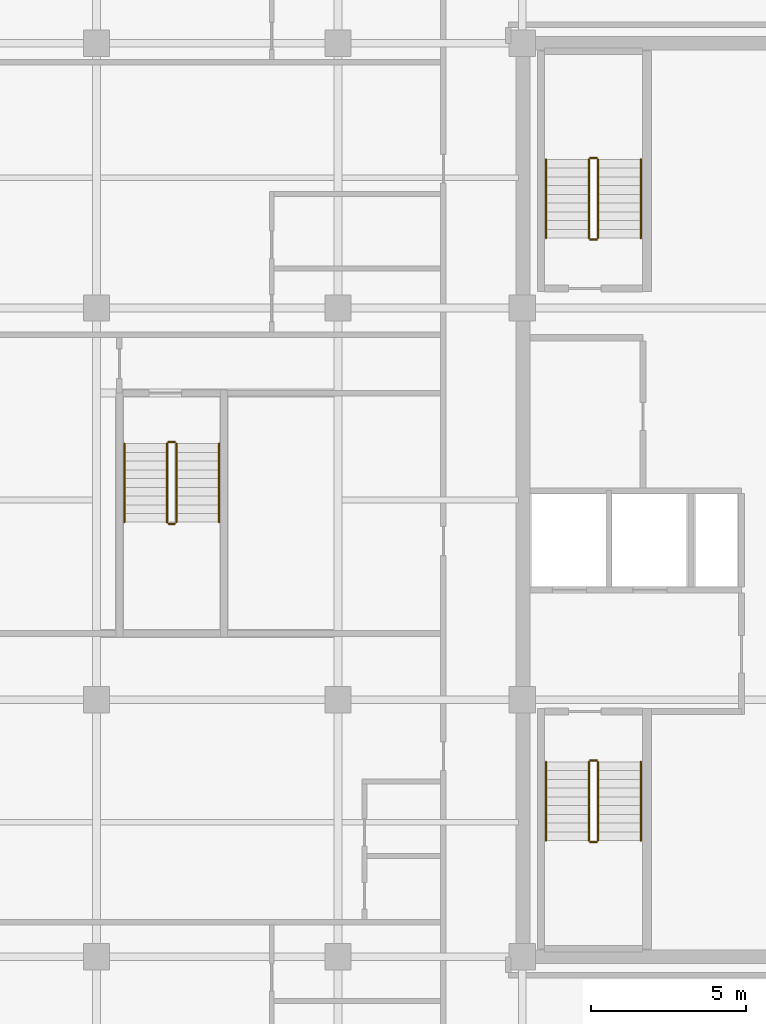
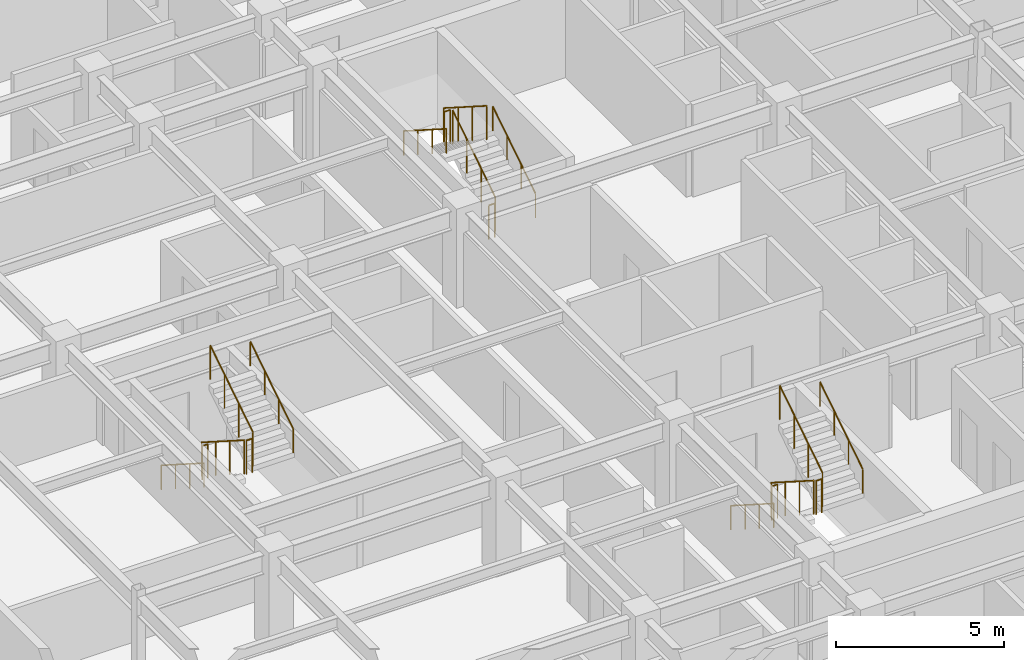
# One storey, part 13 of 13: 18 railings.
"""IFC4 building model written with IfcOpenShell, lengths in metres."""

import ifcopenshell
import ifcopenshell.guid

model = None  # the IFC model being written
_history = None  # IfcOwnerHistory: only IFC2X3 demands one
_inside = {}  # id of a spatial element -> (the spatial element, [elements in it])
_under = {}  # id of a project, library or spatial element -> (it, [spatial elements below it])
_declared = {}  # id of a project -> (the project, [libraries it declares])
_typed = {}  # id of a type object -> (the type object, [elements of that type])
_made_of = {}  # id of a material, layer set ... -> (it, [elements and type objects made of it])


def new_model(schema):
    """Start an empty IFC model of exactly this schema.

    Asked for "IFC4X3", IfcOpenShell would pick the latest addendum, in which some entities
    have other attributes; the version numbers below select the first issue.
    IFC2X3 requires an IfcOwnerHistory on every rooted entity: one is made here for all.
    """
    global model, _history
    if schema == "IFC4X3":
        model = ifcopenshell.file(schema_version=(4, 3, 0, 0))
    else:
        model = ifcopenshell.file(schema=schema)
    _inside.clear()
    _under.clear()
    _declared.clear()
    _typed.clear()
    _made_of.clear()
    _history = None
    if model.schema == "IFC2X3":
        org = make("IfcOrganization", Name="unknown")
        user = make(
            "IfcPersonAndOrganization",
            ThePerson=make("IfcPerson", FamilyName="unknown"),
            TheOrganization=org,
        )
        app = make(
            "IfcApplication",
            ApplicationDeveloper=org,
            Version="unknown",
            ApplicationFullName="unknown",
            ApplicationIdentifier="unknown",
        )
        _history = make(
            "IfcOwnerHistory",
            OwningUser=user,
            OwningApplication=app,
            ChangeAction="ADDED",
            CreationDate=0,
        )
    return model


def make(cls, **values):
    """One entity of the class cls with the attributes given. An attribute that is None is left unset."""
    return model.create_entity(
        cls, **{name: value for name, value in values.items() if value is not None}
    )


def rooted(cls, **values):
    """An entity with a GlobalId (a new one), such as an element, a storey or a relation."""
    return make(cls, GlobalId=ifcopenshell.guid.new(), OwnerHistory=_history, **values)


def si_unit(unit_type, name, prefix=None):
    """IfcSIUnit, for example si_unit("LENGTHUNIT", "METRE", prefix="MILLI")."""
    return make("IfcSIUnit", UnitType=unit_type, Prefix=prefix, Name=name)


def assignment(units):
    """IfcUnitAssignment: the units of a project."""
    return None if units is None else make("IfcUnitAssignment", Units=units)


def point(xyz):
    """IfcCartesianPoint."""
    return None if xyz is None else make("IfcCartesianPoint", Coordinates=xyz)


def direction(xyz):
    """IfcDirection."""
    return None if xyz is None else make("IfcDirection", DirectionRatios=xyz)


def frame(location, z_axis=None, x_axis=None):
    """IfcAxis2Placement3D, a coordinate frame: its origin and axes. An axis left out is left unset."""
    return make(
        "IfcAxis2Placement3D",
        Location=point(location),
        Axis=direction(z_axis),
        RefDirection=direction(x_axis),
    )


def frame_2d(location, x_axis=None):
    """IfcAxis2Placement2D, a coordinate frame in the plane: its origin and x axis."""
    return make(
        "IfcAxis2Placement2D", Location=point(location), RefDirection=direction(x_axis)
    )


def origin():
    """The frame at (0, 0, 0) with its axes left unset."""
    return frame((0.0, 0.0, 0.0))


def origin_2d():
    """The frame at (0, 0) in the plane with its x axis left unset."""
    return frame_2d((0.0, 0.0))


def place(relative_to, where):
    """IfcLocalPlacement: puts the frame where relative to a parent placement (None: the world)."""
    return make(
        "IfcLocalPlacement", PlacementRelTo=relative_to, RelativePlacement=where
    )


def context(
    kind, dimensions, precision=None, world=None, true_north=None, identifier=None
):
    """IfcGeometricRepresentationContext, for example the 3D "Model" context."""
    return make(
        "IfcGeometricRepresentationContext",
        ContextIdentifier=identifier,
        ContextType=kind,
        CoordinateSpaceDimension=dimensions,
        Precision=precision,
        WorldCoordinateSystem=world,
        TrueNorth=true_north,
    )


def subcontext(parent, identifier, kind, view, scale=None):
    """IfcGeometricRepresentationSubContext, for example "Body" below "Model"."""
    return make(
        "IfcGeometricRepresentationSubContext",
        ContextIdentifier=identifier,
        ContextType=kind,
        ParentContext=parent,
        TargetScale=scale,
        TargetView=view,
    )


def project(units=None, contexts=None):
    """IfcProject with its units and contexts."""
    return rooted(
        "IfcProject",
        Name="project",
        RepresentationContexts=contexts,
        UnitsInContext=assignment(units),
    )


def spatial(cls, under=None, at=None, **own):
    """A site, building, storey or space (cls), placed at a placement, below another one or the project."""
    s = rooted(cls, ObjectPlacement=at, **own)
    if under is not None:
        _under.setdefault(under.id(), (under, []))[1].append(s)
    return s


def profile(cls, at=None, kind="AREA", **sizes):
    """A parametric profile (cls). Its sizes go by their IFC names, for example OverallWidth=200.0."""
    return make(cls, ProfileType=kind, Position=at, **sizes)


def circle(**sizes):
    """IfcCircleProfileDef."""
    return profile("IfcCircleProfileDef", **sizes)


def extrude(swept, where, along, depth):
    """IfcExtrudedAreaSolid: the profile swept, set in the frame where, extruded along a direction by depth."""
    return make(
        "IfcExtrudedAreaSolid",
        SweptArea=swept,
        Position=where,
        ExtrudedDirection=direction(along),
        Depth=depth,
    )


def shape(context_of_items, identifier, shape_type, items):
    """IfcShapeRepresentation: the items that make up one representation, for example the "Body"."""
    return make(
        "IfcShapeRepresentation",
        ContextOfItems=context_of_items,
        RepresentationIdentifier=identifier,
        RepresentationType=shape_type,
        Items=items,
    )


def material(Name=None, Category=None):
    """IfcMaterial."""
    return make("IfcMaterial", Name=Name, Category=Category)


def made_of(thing, what):
    """Note that an element or type object is made of a material, layer set ...; save() writes the relation."""
    if what is not None:
        _made_of.setdefault(what.id(), (what, []))[1].append(thing)
    return thing


def type_object(cls, material=None, **own):
    """A type object (cls), such as IfcWallType, which elements share."""
    return made_of(rooted(cls, **own), material)


def element(
    cls,
    number,
    at=None,
    inside=None,
    cuts=None,
    type_object=None,
    material=None,
    context=None,
    identifier="Body",
    shape_type=None,
    held_by="IfcProductDefinitionShape",
    body=None,
    shapes=None,
    **own,
):
    """One element of the class cls, such as IfcWall. Its Tag is "e" and its number.

    at: its placement. inside: the storey or other place that contains it. cuts: it is an
    opening in that element (IfcRelVoidsElement). A single representation is given by context,
    identifier, shape_type and body (its items); several are given by shapes. held_by: the class
    of the entity that holds the representations. save() writes the other relations.
    """
    e = rooted(cls, Tag="e%d" % number, ObjectPlacement=at, **own)
    if body is not None:
        shapes = [shape(context, identifier, shape_type, body)]
    if shapes is not None:
        e.Representation = make(held_by, Representations=shapes)
    if inside is not None:
        _inside.setdefault(inside.id(), (inside, []))[1].append(e)
    if cuts is not None:
        rooted(
            "IfcRelVoidsElement", RelatingBuildingElement=cuts, RelatedOpeningElement=e
        )
    if type_object is not None:
        _typed.setdefault(type_object.id(), (type_object, []))[1].append(e)
    return made_of(e, material)


def aggregate(whole, parts):
    """IfcRelAggregates: a whole, such as a stair, and the parts it consists of."""
    return rooted("IfcRelAggregates", RelatingObject=whole, RelatedObjects=parts)


def save(model, path):
    """Write the relations noted so far, then the file.

    IfcRelAggregates (storeys below a building ...), IfcRelContainedInSpatialStructure (elements
    in a storey), IfcRelDefinesByType, IfcRelAssociatesMaterial and IfcRelDeclares: one each for
    every whole, place, type object, material and project.
    """
    for whole, parts in _under.values():
        aggregate(whole, parts)
    for where, things in _inside.values():
        rooted(
            "IfcRelContainedInSpatialStructure",
            RelatedElements=things,
            RelatingStructure=where,
        )
    for kind, things in _typed.values():
        rooted("IfcRelDefinesByType", RelatedObjects=things, RelatingType=kind)
    for what, things in _made_of.values():
        rooted("IfcRelAssociatesMaterial", RelatedObjects=things, RelatingMaterial=what)
    for by, libraries in _declared.values():
        rooted("IfcRelDeclares", RelatingContext=by, RelatedDefinitions=libraries)
    model.write(path)


model = new_model("IFC4")

# Units and contexts
model_context = context("Model", 3, precision=1e-05, world=origin(), true_north=direction((0.0, 1.0)))
body_context = subcontext(model_context, "Body", "Model", "MODEL_VIEW")
ifc_project = project(units=[si_unit("LENGTHUNIT", "METRE"), si_unit("AREAUNIT", "SQUARE_METRE"), si_unit("VOLUMEUNIT", "CUBIC_METRE"), si_unit("PLANEANGLEUNIT", "RADIAN"), si_unit("MASSUNIT", "GRAM", prefix="KILO")], contexts=[model_context])

# Site, building, storey
site_placement = place(None, origin())
site = spatial("IfcSite", under=ifc_project, at=site_placement, CompositionType="ELEMENT")
building_placement = place(site_placement, origin())
building = spatial("IfcBuilding", under=site, at=building_placement, Name="Ochreholt Gables", CompositionType="ELEMENT")
storey_placement = place(building_placement, frame((0.0, 0.0, 56.39990234375)))
storey = spatial("IfcBuildingStorey", under=building, at=storey_placement, Name="L14", CompositionType="ELEMENT", Elevation=56.39990234375)

# Railings
ifc_material_1 = material(Name="Painted Steel Stair Guardrail", Category="steel")
railing_type_1 = type_object("IfcRailingType", Name="RL-ST-GUARD", PredefinedType="GUARDRAIL", material=ifc_material_1)
railing_1_placement = place(storey_placement, frame((26.35009765625, 15.5400390625, 0.18017578125)))
element("IfcRailing", 1, at=railing_1_placement, inside=storey, type_object=railing_type_1, Name="L14 ST-1 stair guard 1", PredefinedType="GUARDRAIL", context=body_context, shape_type="SweptSolid", body=[
    extrude(circle(Radius=0.02392578125, at=origin_2d()), frame((0.0, 0.0, 1.22607421875), z_axis=(0.0, -0.842949592929, 0.537992549931), x_axis=(1.0, 0.0, 0.0)), (0.0, 0.0, 1.0), 3.010986328125),
    extrude(circle(Radius=0.02099609375, at=origin_2d()), origin(), (0.0, 0.0, 1.0), 1.201904296875),
    extrude(circle(Radius=0.02099609375, at=origin_2d()), frame((0.0, -0.845947265625, 0.5400390625)), (0.0, 0.0, 1.0), 1.201904296875),
    extrude(circle(Radius=0.02099609375, at=origin_2d()), frame((0.0, -1.692138671875, 1.079833984375)), (0.0, 0.0, 1.0), 1.201904296875),
    extrude(circle(Radius=0.02099609375, at=origin_2d()), frame((0.0, -2.5380859375, 1.619873046875)), (0.0, 0.0, 1.0), 1.201904296875),
])
railing_2_placement = place(storey_placement, frame((26.39990234375, 12.951904296875, 1.800048828125)))
element("IfcRailing", 2, at=railing_2_placement, inside=storey, type_object=railing_type_1, Name="L14 ST-1 stair guard 2", PredefinedType="GUARDRAIL", context=body_context, shape_type="SweptSolid", body=[
    extrude(circle(Radius=0.02392578125, at=origin_2d()), frame((0.0, 0.0, 1.22607421875), z_axis=(1.0, 0.0, 0.0), x_axis=(0.0, 1.0, 0.0)), (0.0, 0.0, 1.0), 0.2001953125),
    extrude(circle(Radius=0.02099609375, at=origin_2d()), origin(), (0.0, 0.0, 1.0), 1.201904296875),
    extrude(circle(Radius=0.02099609375, at=origin_2d()), frame((0.2001953125, 0.0, 0.0)), (0.0, 0.0, 1.0), 1.201904296875),
])
railing_3_placement = place(storey_placement, frame((26.64990234375, 13.001953125, 1.97998046875)))
element("IfcRailing", 3, at=railing_3_placement, inside=storey, type_object=railing_type_1, Name="L14 ST-1 stair guard 3", PredefinedType="GUARDRAIL", context=body_context, shape_type="SweptSolid", body=[
    extrude(circle(Radius=0.02392578125, at=origin_2d()), frame((0.0, 0.0, 1.22607421875), z_axis=(0.0, 0.842912820907, 0.538050161556), x_axis=(-1.0, 0.0, 0.0)), (0.0, 0.0, 1.0), 3.010986328125),
    extrude(circle(Radius=0.02099609375, at=origin_2d()), origin(), (0.0, 0.0, 1.0), 1.201904296875),
    extrude(circle(Radius=0.02099609375, at=origin_2d()), frame((0.0, 0.845947265625, 0.5400390625)), (0.0, 0.0, 1.0), 1.201904296875),
    extrude(circle(Radius=0.02099609375, at=origin_2d()), frame((0.0, 1.692138671875, 1.080078125)), (0.0, 0.0, 1.0), 1.201904296875),
    extrude(circle(Radius=0.02099609375, at=origin_2d()), frame((0.0, 2.5380859375, 1.6201171875)), (0.0, 0.0, 1.0), 1.201904296875),
])
railing_4_placement = place(storey_placement, frame((26.39990234375, 15.590087890625, 0.0)))
element("IfcRailing", 4, at=railing_4_placement, inside=storey, type_object=railing_type_1, Name="L14 ST-1 stair guard 4", PredefinedType="GUARDRAIL", context=body_context, shape_type="SweptSolid", body=[
    extrude(circle(Radius=0.02392578125, at=origin_2d()), frame((0.0, 0.0, 1.22607421875), z_axis=(1.0, 0.0, 0.0), x_axis=(0.0, 1.0, 0.0)), (0.0, 0.0, 1.0), 0.2001953125),
    extrude(circle(Radius=0.02099609375, at=origin_2d()), origin(), (0.0, 0.0, 1.0), 1.201904296875),
    extrude(circle(Radius=0.02099609375, at=origin_2d()), frame((0.2001953125, 0.0, 0.0)), (0.0, 0.0, 1.0), 1.201904296875),
])
railing_5_placement = place(storey_placement, frame((26.64990234375, 32.4599609375, 0.18017578125)))
element("IfcRailing", 5, at=railing_5_placement, inside=storey, type_object=railing_type_1, Name="L14 ST-2 stair guard 1", PredefinedType="GUARDRAIL", context=body_context, shape_type="SweptSolid", body=[
    extrude(circle(Radius=0.02392578125, at=origin_2d()), frame((0.0, 0.0, 1.22607421875), z_axis=(0.0, 0.842949592929, 0.537992549931), x_axis=(-1.0, 0.0, 0.0)), (0.0, 0.0, 1.0), 3.010986328125),
    extrude(circle(Radius=0.02099609375, at=origin_2d()), origin(), (0.0, 0.0, 1.0), 1.201904296875),
    extrude(circle(Radius=0.02099609375, at=origin_2d()), frame((0.0, 0.845947265625, 0.5400390625)), (0.0, 0.0, 1.0), 1.201904296875),
    extrude(circle(Radius=0.02099609375, at=origin_2d()), frame((0.0, 1.692138671875, 1.079833984375)), (0.0, 0.0, 1.0), 1.201904296875),
    extrude(circle(Radius=0.02099609375, at=origin_2d()), frame((0.0, 2.5380859375, 1.619873046875)), (0.0, 0.0, 1.0), 1.201904296875),
])
railing_6_placement = place(storey_placement, frame((26.60009765625, 35.048095703125, 1.800048828125)))
element("IfcRailing", 6, at=railing_6_placement, inside=storey, type_object=railing_type_1, Name="L14 ST-2 stair guard 2", PredefinedType="GUARDRAIL", context=body_context, shape_type="SweptSolid", body=[
    extrude(circle(Radius=0.02392578125, at=origin_2d()), frame((0.0, 0.0, 1.22607421875), z_axis=(-1.0, 0.0, 0.0), x_axis=(0.0, -1.0, 0.0)), (0.0, 0.0, 1.0), 0.2001953125),
    extrude(circle(Radius=0.02099609375, at=origin_2d()), origin(), (0.0, 0.0, 1.0), 1.201904296875),
    extrude(circle(Radius=0.02099609375, at=origin_2d()), frame((-0.2001953125, 0.0, 0.0)), (0.0, 0.0, 1.0), 1.201904296875),
])
railing_7_placement = place(storey_placement, frame((26.35009765625, 34.998046875, 1.97998046875)))
element("IfcRailing", 7, at=railing_7_placement, inside=storey, type_object=railing_type_1, Name="L14 ST-2 stair guard 3", PredefinedType="GUARDRAIL", context=body_context, shape_type="SweptSolid", body=[
    extrude(circle(Radius=0.02392578125, at=origin_2d()), frame((0.0, 0.0, 1.22607421875), z_axis=(0.0, -0.842912820907, 0.538050161556), x_axis=(1.0, 0.0, 0.0)), (0.0, 0.0, 1.0), 3.010986328125),
    extrude(circle(Radius=0.02099609375, at=origin_2d()), origin(), (0.0, 0.0, 1.0), 1.201904296875),
    extrude(circle(Radius=0.02099609375, at=origin_2d()), frame((0.0, -0.845947265625, 0.5400390625)), (0.0, 0.0, 1.0), 1.201904296875),
    extrude(circle(Radius=0.02099609375, at=origin_2d()), frame((0.0, -1.692138671875, 1.080078125)), (0.0, 0.0, 1.0), 1.201904296875),
    extrude(circle(Radius=0.02099609375, at=origin_2d()), frame((0.0, -2.5380859375, 1.6201171875)), (0.0, 0.0, 1.0), 1.201904296875),
])
railing_8_placement = place(storey_placement, frame((26.60009765625, 32.409912109375, 0.0)))
element("IfcRailing", 8, at=railing_8_placement, inside=storey, type_object=railing_type_1, Name="L14 ST-2 stair guard 4", PredefinedType="GUARDRAIL", context=body_context, shape_type="SweptSolid", body=[
    extrude(circle(Radius=0.02392578125, at=origin_2d()), frame((0.0, 0.0, 1.22607421875), z_axis=(-1.0, 0.0, 0.0), x_axis=(0.0, -1.0, 0.0)), (0.0, 0.0, 1.0), 0.2001953125),
    extrude(circle(Radius=0.02099609375, at=origin_2d()), origin(), (0.0, 0.0, 1.0), 1.201904296875),
    extrude(circle(Radius=0.02099609375, at=origin_2d()), frame((-0.2001953125, 0.0, 0.0)), (0.0, 0.0, 1.0), 1.201904296875),
])
railing_9_placement = place(storey_placement, frame((12.72998046875, 25.820068359375, 0.18017578125)))
element("IfcRailing", 9, at=railing_9_placement, inside=storey, type_object=railing_type_1, Name="L14 ST-C1 stair guard 1", PredefinedType="GUARDRAIL", context=body_context, shape_type="SweptSolid", body=[
    extrude(circle(Radius=0.02392578125, at=origin_2d()), frame((0.0, 0.0, 1.22607421875), z_axis=(0.0, -0.842949592929, 0.537992549931), x_axis=(1.0, 0.0, 0.0)), (0.0, 0.0, 1.0), 3.010986328125),
    extrude(circle(Radius=0.02099609375, at=origin_2d()), origin(), (0.0, 0.0, 1.0), 1.201904296875),
    extrude(circle(Radius=0.02099609375, at=origin_2d()), frame((0.0, -0.845947265625, 0.5400390625)), (0.0, 0.0, 1.0), 1.201904296875),
    extrude(circle(Radius=0.02099609375, at=origin_2d()), frame((0.0, -1.692138671875, 1.079833984375)), (0.0, 0.0, 1.0), 1.201904296875),
    extrude(circle(Radius=0.02099609375, at=origin_2d()), frame((0.0, -2.5380859375, 1.619873046875)), (0.0, 0.0, 1.0), 1.201904296875),
])
railing_10_placement = place(storey_placement, frame((12.780029296875, 23.23193359375, 1.800048828125)))
element("IfcRailing", 10, at=railing_10_placement, inside=storey, type_object=railing_type_1, Name="L14 ST-C1 stair guard 2", PredefinedType="GUARDRAIL", context=body_context, shape_type="SweptSolid", body=[
    extrude(circle(Radius=0.02392578125, at=origin_2d()), frame((0.0, 0.0, 1.22607421875), z_axis=(1.0, 0.0, 0.0), x_axis=(0.0, 1.0, 0.0)), (0.0, 0.0, 1.0), 0.199951171875),
    extrude(circle(Radius=0.02099609375, at=origin_2d()), origin(), (0.0, 0.0, 1.0), 1.201904296875),
    extrude(circle(Radius=0.02099609375, at=origin_2d()), frame((0.199951171875, 0.0, 0.0)), (0.0, 0.0, 1.0), 1.201904296875),
])
railing_11_placement = place(storey_placement, frame((13.030029296875, 23.281982421875, 1.97998046875)))
element("IfcRailing", 11, at=railing_11_placement, inside=storey, type_object=railing_type_1, Name="L14 ST-C1 stair guard 3", PredefinedType="GUARDRAIL", context=body_context, shape_type="SweptSolid", body=[
    extrude(circle(Radius=0.02392578125, at=origin_2d()), frame((0.0, 0.0, 1.22607421875), z_axis=(0.0, 0.842912820907, 0.538050161556), x_axis=(-1.0, 0.0, 0.0)), (0.0, 0.0, 1.0), 3.010986328125),
    extrude(circle(Radius=0.02099609375, at=origin_2d()), origin(), (0.0, 0.0, 1.0), 1.201904296875),
    extrude(circle(Radius=0.02099609375, at=origin_2d()), frame((0.0, 0.845947265625, 0.5400390625)), (0.0, 0.0, 1.0), 1.201904296875),
    extrude(circle(Radius=0.02099609375, at=origin_2d()), frame((0.0, 1.692138671875, 1.080078125)), (0.0, 0.0, 1.0), 1.201904296875),
    extrude(circle(Radius=0.02099609375, at=origin_2d()), frame((0.0, 2.5380859375, 1.6201171875)), (0.0, 0.0, 1.0), 1.201904296875),
])
railing_12_placement = place(storey_placement, frame((12.780029296875, 25.8701171875, 0.0)))
element("IfcRailing", 12, at=railing_12_placement, inside=storey, type_object=railing_type_1, Name="L14 ST-C1 stair guard 4", PredefinedType="GUARDRAIL", context=body_context, shape_type="SweptSolid", body=[
    extrude(circle(Radius=0.02392578125, at=origin_2d()), frame((0.0, 0.0, 1.22607421875), z_axis=(1.0, 0.0, 0.0), x_axis=(0.0, 1.0, 0.0)), (0.0, 0.0, 1.0), 0.199951171875),
    extrude(circle(Radius=0.02099609375, at=origin_2d()), origin(), (0.0, 0.0, 1.0), 1.201904296875),
    extrude(circle(Radius=0.02099609375, at=origin_2d()), frame((0.199951171875, 0.0, 0.0)), (0.0, 0.0, 1.0), 1.201904296875),
])
ifc_material_2 = material(Name="Brushed Stainless Steel Wall Handrail", Category="steel")
railing_type_2 = type_object("IfcRailingType", Name="RL-ST-HAND", PredefinedType="HANDRAIL", material=ifc_material_2)
railing_13_placement = place(storey_placement, frame((24.969970703125, 15.5400390625, 0.18017578125)))
element("IfcRailing", 13, at=railing_13_placement, inside=storey, type_object=railing_type_2, Name="L14 ST-1 stair handrail 1", PredefinedType="HANDRAIL", context=body_context, shape_type="SweptSolid", body=[
    extrude(circle(Radius=0.02392578125, at=origin_2d()), frame((0.0, 0.0, 0.8759765625), z_axis=(0.0, -0.842949592929, 0.537992549931), x_axis=(1.0, 0.0, 0.0)), (0.0, 0.0, 1.0), 3.010986328125),
    extrude(circle(Radius=0.02099609375, at=origin_2d()), origin(), (0.0, 0.0, 1.0), 0.851806640625),
    extrude(circle(Radius=0.02099609375, at=origin_2d()), frame((0.0, -0.845947265625, 0.5400390625)), (0.0, 0.0, 1.0), 0.851806640625),
    extrude(circle(Radius=0.02099609375, at=origin_2d()), frame((0.0, -1.692138671875, 1.079833984375)), (0.0, 0.0, 1.0), 0.851806640625),
    extrude(circle(Radius=0.02099609375, at=origin_2d()), frame((0.0, -2.5380859375, 1.619873046875)), (0.0, 0.0, 1.0), 0.851806640625),
])
railing_14_placement = place(storey_placement, frame((28.030029296875, 13.001953125, 1.97998046875)))
element("IfcRailing", 14, at=railing_14_placement, inside=storey, type_object=railing_type_2, Name="L14 ST-1 stair handrail 2", PredefinedType="HANDRAIL", context=body_context, shape_type="SweptSolid", body=[
    extrude(circle(Radius=0.02392578125, at=origin_2d()), frame((0.0, 0.0, 0.8759765625), z_axis=(0.0, 0.842912820907, 0.538050161556), x_axis=(-1.0, 0.0, 0.0)), (0.0, 0.0, 1.0), 3.010986328125),
    extrude(circle(Radius=0.02099609375, at=origin_2d()), origin(), (0.0, 0.0, 1.0), 0.851806640625),
    extrude(circle(Radius=0.02099609375, at=origin_2d()), frame((0.0, 0.845947265625, 0.5400390625)), (0.0, 0.0, 1.0), 0.851806640625),
    extrude(circle(Radius=0.02099609375, at=origin_2d()), frame((0.0, 1.692138671875, 1.080078125)), (0.0, 0.0, 1.0), 0.851806640625),
    extrude(circle(Radius=0.02099609375, at=origin_2d()), frame((0.0, 2.5380859375, 1.6201171875)), (0.0, 0.0, 1.0), 0.851806640625),
])
railing_15_placement = place(storey_placement, frame((28.030029296875, 32.4599609375, 0.18017578125)))
element("IfcRailing", 15, at=railing_15_placement, inside=storey, type_object=railing_type_2, Name="L14 ST-2 stair handrail 1", PredefinedType="HANDRAIL", context=body_context, shape_type="SweptSolid", body=[
    extrude(circle(Radius=0.02392578125, at=origin_2d()), frame((0.0, 0.0, 0.8759765625), z_axis=(0.0, 0.842949592929, 0.537992549931), x_axis=(-1.0, 0.0, 0.0)), (0.0, 0.0, 1.0), 3.010986328125),
    extrude(circle(Radius=0.02099609375, at=origin_2d()), origin(), (0.0, 0.0, 1.0), 0.851806640625),
    extrude(circle(Radius=0.02099609375, at=origin_2d()), frame((0.0, 0.845947265625, 0.5400390625)), (0.0, 0.0, 1.0), 0.851806640625),
    extrude(circle(Radius=0.02099609375, at=origin_2d()), frame((0.0, 1.692138671875, 1.079833984375)), (0.0, 0.0, 1.0), 0.851806640625),
    extrude(circle(Radius=0.02099609375, at=origin_2d()), frame((0.0, 2.5380859375, 1.619873046875)), (0.0, 0.0, 1.0), 0.851806640625),
])
railing_16_placement = place(storey_placement, frame((24.969970703125, 34.998046875, 1.97998046875)))
element("IfcRailing", 16, at=railing_16_placement, inside=storey, type_object=railing_type_2, Name="L14 ST-2 stair handrail 2", PredefinedType="HANDRAIL", context=body_context, shape_type="SweptSolid", body=[
    extrude(circle(Radius=0.02392578125, at=origin_2d()), frame((0.0, 0.0, 0.8759765625), z_axis=(0.0, -0.842912820907, 0.538050161556), x_axis=(1.0, 0.0, 0.0)), (0.0, 0.0, 1.0), 3.010986328125),
    extrude(circle(Radius=0.02099609375, at=origin_2d()), origin(), (0.0, 0.0, 1.0), 0.851806640625),
    extrude(circle(Radius=0.02099609375, at=origin_2d()), frame((0.0, -0.845947265625, 0.5400390625)), (0.0, 0.0, 1.0), 0.851806640625),
    extrude(circle(Radius=0.02099609375, at=origin_2d()), frame((0.0, -1.692138671875, 1.080078125)), (0.0, 0.0, 1.0), 0.851806640625),
    extrude(circle(Radius=0.02099609375, at=origin_2d()), frame((0.0, -2.5380859375, 1.6201171875)), (0.0, 0.0, 1.0), 0.851806640625),
])
railing_17_placement = place(storey_placement, frame((11.35009765625, 25.820068359375, 0.18017578125)))
element("IfcRailing", 17, at=railing_17_placement, inside=storey, type_object=railing_type_2, Name="L14 ST-C1 stair handrail 1", PredefinedType="HANDRAIL", context=body_context, shape_type="SweptSolid", body=[
    extrude(circle(Radius=0.02392578125, at=origin_2d()), frame((0.0, 0.0, 0.8759765625), z_axis=(0.0, -0.842949592929, 0.537992549931), x_axis=(1.0, 0.0, 0.0)), (0.0, 0.0, 1.0), 3.010986328125),
    extrude(circle(Radius=0.02099609375, at=origin_2d()), origin(), (0.0, 0.0, 1.0), 0.851806640625),
    extrude(circle(Radius=0.02099609375, at=origin_2d()), frame((0.0, -0.845947265625, 0.5400390625)), (0.0, 0.0, 1.0), 0.851806640625),
    extrude(circle(Radius=0.02099609375, at=origin_2d()), frame((0.0, -1.692138671875, 1.079833984375)), (0.0, 0.0, 1.0), 0.851806640625),
    extrude(circle(Radius=0.02099609375, at=origin_2d()), frame((0.0, -2.5380859375, 1.619873046875)), (0.0, 0.0, 1.0), 0.851806640625),
])
railing_18_placement = place(storey_placement, frame((14.409912109375, 23.281982421875, 1.97998046875)))
element("IfcRailing", 18, at=railing_18_placement, inside=storey, type_object=railing_type_2, Name="L14 ST-C1 stair handrail 2", PredefinedType="HANDRAIL", context=body_context, shape_type="SweptSolid", body=[
    extrude(circle(Radius=0.02392578125, at=origin_2d()), frame((0.0, 0.0, 0.8759765625), z_axis=(0.0, 0.842912820907, 0.538050161556), x_axis=(-1.0, 0.0, 0.0)), (0.0, 0.0, 1.0), 3.010986328125),
    extrude(circle(Radius=0.02099609375, at=origin_2d()), origin(), (0.0, 0.0, 1.0), 0.851806640625),
    extrude(circle(Radius=0.02099609375, at=origin_2d()), frame((0.0, 0.845947265625, 0.5400390625)), (0.0, 0.0, 1.0), 0.851806640625),
    extrude(circle(Radius=0.02099609375, at=origin_2d()), frame((0.0, 1.692138671875, 1.080078125)), (0.0, 0.0, 1.0), 0.851806640625),
    extrude(circle(Radius=0.02099609375, at=origin_2d()), frame((0.0, 2.5380859375, 1.6201171875)), (0.0, 0.0, 1.0), 0.851806640625),
])

save(model, "model.ifc")
